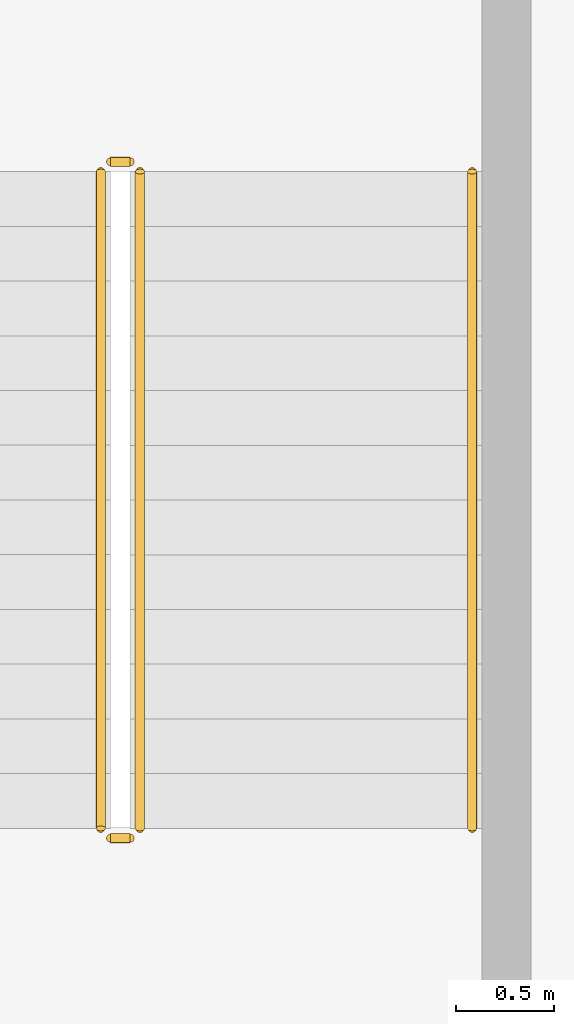
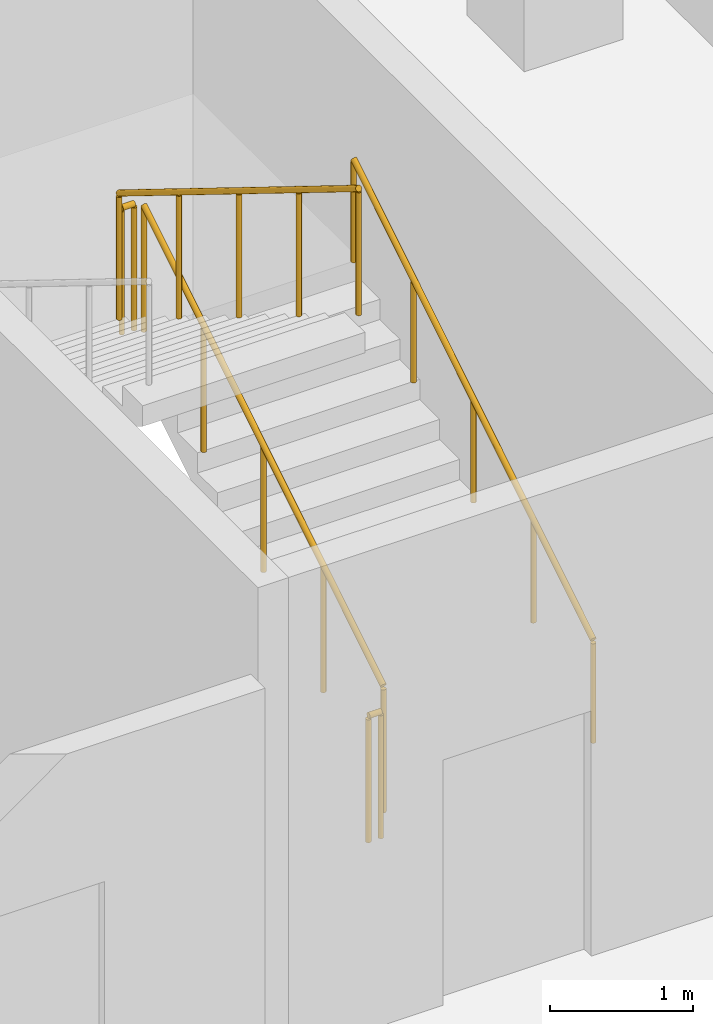
# One storey, part 35 of 35: 5 railings.
"""IFC4 building model written with IfcOpenShell, lengths in metres."""

import ifcopenshell
import ifcopenshell.guid

model = None  # the IFC model being written
_history = None  # IfcOwnerHistory: only IFC2X3 demands one
_inside = {}  # id of a spatial element -> (the spatial element, [elements in it])
_under = {}  # id of a project, library or spatial element -> (it, [spatial elements below it])
_declared = {}  # id of a project -> (the project, [libraries it declares])
_typed = {}  # id of a type object -> (the type object, [elements of that type])
_made_of = {}  # id of a material, layer set ... -> (it, [elements and type objects made of it])


def new_model(schema):
    """Start an empty IFC model of exactly this schema.

    Asked for "IFC4X3", IfcOpenShell would pick the latest addendum, in which some entities
    have other attributes; the version numbers below select the first issue.
    IFC2X3 requires an IfcOwnerHistory on every rooted entity: one is made here for all.
    """
    global model, _history
    if schema == "IFC4X3":
        model = ifcopenshell.file(schema_version=(4, 3, 0, 0))
    else:
        model = ifcopenshell.file(schema=schema)
    _inside.clear()
    _under.clear()
    _declared.clear()
    _typed.clear()
    _made_of.clear()
    _history = None
    if model.schema == "IFC2X3":
        org = make("IfcOrganization", Name="unknown")
        user = make(
            "IfcPersonAndOrganization",
            ThePerson=make("IfcPerson", FamilyName="unknown"),
            TheOrganization=org,
        )
        app = make(
            "IfcApplication",
            ApplicationDeveloper=org,
            Version="unknown",
            ApplicationFullName="unknown",
            ApplicationIdentifier="unknown",
        )
        _history = make(
            "IfcOwnerHistory",
            OwningUser=user,
            OwningApplication=app,
            ChangeAction="ADDED",
            CreationDate=0,
        )
    return model


def make(cls, **values):
    """One entity of the class cls with the attributes given. An attribute that is None is left unset."""
    return model.create_entity(
        cls, **{name: value for name, value in values.items() if value is not None}
    )


def rooted(cls, **values):
    """An entity with a GlobalId (a new one), such as an element, a storey or a relation."""
    return make(cls, GlobalId=ifcopenshell.guid.new(), OwnerHistory=_history, **values)


def si_unit(unit_type, name, prefix=None):
    """IfcSIUnit, for example si_unit("LENGTHUNIT", "METRE", prefix="MILLI")."""
    return make("IfcSIUnit", UnitType=unit_type, Prefix=prefix, Name=name)


def assignment(units):
    """IfcUnitAssignment: the units of a project."""
    return None if units is None else make("IfcUnitAssignment", Units=units)


def point(xyz):
    """IfcCartesianPoint."""
    return None if xyz is None else make("IfcCartesianPoint", Coordinates=xyz)


def direction(xyz):
    """IfcDirection."""
    return None if xyz is None else make("IfcDirection", DirectionRatios=xyz)


def frame(location, z_axis=None, x_axis=None):
    """IfcAxis2Placement3D, a coordinate frame: its origin and axes. An axis left out is left unset."""
    return make(
        "IfcAxis2Placement3D",
        Location=point(location),
        Axis=direction(z_axis),
        RefDirection=direction(x_axis),
    )


def frame_2d(location, x_axis=None):
    """IfcAxis2Placement2D, a coordinate frame in the plane: its origin and x axis."""
    return make(
        "IfcAxis2Placement2D", Location=point(location), RefDirection=direction(x_axis)
    )


def origin():
    """The frame at (0, 0, 0) with its axes left unset."""
    return frame((0.0, 0.0, 0.0))


def origin_2d():
    """The frame at (0, 0) in the plane with its x axis left unset."""
    return frame_2d((0.0, 0.0))


def place(relative_to, where):
    """IfcLocalPlacement: puts the frame where relative to a parent placement (None: the world)."""
    return make(
        "IfcLocalPlacement", PlacementRelTo=relative_to, RelativePlacement=where
    )


def context(
    kind, dimensions, precision=None, world=None, true_north=None, identifier=None
):
    """IfcGeometricRepresentationContext, for example the 3D "Model" context."""
    return make(
        "IfcGeometricRepresentationContext",
        ContextIdentifier=identifier,
        ContextType=kind,
        CoordinateSpaceDimension=dimensions,
        Precision=precision,
        WorldCoordinateSystem=world,
        TrueNorth=true_north,
    )


def subcontext(parent, identifier, kind, view, scale=None):
    """IfcGeometricRepresentationSubContext, for example "Body" below "Model"."""
    return make(
        "IfcGeometricRepresentationSubContext",
        ContextIdentifier=identifier,
        ContextType=kind,
        ParentContext=parent,
        TargetScale=scale,
        TargetView=view,
    )


def project(units=None, contexts=None):
    """IfcProject with its units and contexts."""
    return rooted(
        "IfcProject",
        Name="project",
        RepresentationContexts=contexts,
        UnitsInContext=assignment(units),
    )


def spatial(cls, under=None, at=None, **own):
    """A site, building, storey or space (cls), placed at a placement, below another one or the project."""
    s = rooted(cls, ObjectPlacement=at, **own)
    if under is not None:
        _under.setdefault(under.id(), (under, []))[1].append(s)
    return s


def profile(cls, at=None, kind="AREA", **sizes):
    """A parametric profile (cls). Its sizes go by their IFC names, for example OverallWidth=200.0."""
    return make(cls, ProfileType=kind, Position=at, **sizes)


def circle(**sizes):
    """IfcCircleProfileDef."""
    return profile("IfcCircleProfileDef", **sizes)


def extrude(swept, where, along, depth):
    """IfcExtrudedAreaSolid: the profile swept, set in the frame where, extruded along a direction by depth."""
    return make(
        "IfcExtrudedAreaSolid",
        SweptArea=swept,
        Position=where,
        ExtrudedDirection=direction(along),
        Depth=depth,
    )


def shape(context_of_items, identifier, shape_type, items):
    """IfcShapeRepresentation: the items that make up one representation, for example the "Body"."""
    return make(
        "IfcShapeRepresentation",
        ContextOfItems=context_of_items,
        RepresentationIdentifier=identifier,
        RepresentationType=shape_type,
        Items=items,
    )


def material(Name=None, Category=None):
    """IfcMaterial."""
    return make("IfcMaterial", Name=Name, Category=Category)


def made_of(thing, what):
    """Note that an element or type object is made of a material, layer set ...; save() writes the relation."""
    if what is not None:
        _made_of.setdefault(what.id(), (what, []))[1].append(thing)
    return thing


def type_object(cls, material=None, **own):
    """A type object (cls), such as IfcWallType, which elements share."""
    return made_of(rooted(cls, **own), material)


def element(
    cls,
    number,
    at=None,
    inside=None,
    cuts=None,
    type_object=None,
    material=None,
    context=None,
    identifier="Body",
    shape_type=None,
    held_by="IfcProductDefinitionShape",
    body=None,
    shapes=None,
    **own,
):
    """One element of the class cls, such as IfcWall. Its Tag is "e" and its number.

    at: its placement. inside: the storey or other place that contains it. cuts: it is an
    opening in that element (IfcRelVoidsElement). A single representation is given by context,
    identifier, shape_type and body (its items); several are given by shapes. held_by: the class
    of the entity that holds the representations. save() writes the other relations.
    """
    e = rooted(cls, Tag="e%d" % number, ObjectPlacement=at, **own)
    if body is not None:
        shapes = [shape(context, identifier, shape_type, body)]
    if shapes is not None:
        e.Representation = make(held_by, Representations=shapes)
    if inside is not None:
        _inside.setdefault(inside.id(), (inside, []))[1].append(e)
    if cuts is not None:
        rooted(
            "IfcRelVoidsElement", RelatingBuildingElement=cuts, RelatedOpeningElement=e
        )
    if type_object is not None:
        _typed.setdefault(type_object.id(), (type_object, []))[1].append(e)
    return made_of(e, material)


def aggregate(whole, parts):
    """IfcRelAggregates: a whole, such as a stair, and the parts it consists of."""
    return rooted("IfcRelAggregates", RelatingObject=whole, RelatedObjects=parts)


def save(model, path):
    """Write the relations noted so far, then the file.

    IfcRelAggregates (storeys below a building ...), IfcRelContainedInSpatialStructure (elements
    in a storey), IfcRelDefinesByType, IfcRelAssociatesMaterial and IfcRelDeclares: one each for
    every whole, place, type object, material and project.
    """
    for whole, parts in _under.values():
        aggregate(whole, parts)
    for where, things in _inside.values():
        rooted(
            "IfcRelContainedInSpatialStructure",
            RelatedElements=things,
            RelatingStructure=where,
        )
    for kind, things in _typed.values():
        rooted("IfcRelDefinesByType", RelatedObjects=things, RelatingType=kind)
    for what, things in _made_of.values():
        rooted("IfcRelAssociatesMaterial", RelatedObjects=things, RelatingMaterial=what)
    for by, libraries in _declared.values():
        rooted("IfcRelDeclares", RelatingContext=by, RelatedDefinitions=libraries)
    model.write(path)


model = new_model("IFC4")

# Units and contexts
model_context = context("Model", 3, precision=1e-05, world=origin(), true_north=direction((0.0, 1.0)))
body_context = subcontext(model_context, "Body", "Model", "MODEL_VIEW")
ifc_project = project(units=[si_unit("LENGTHUNIT", "METRE"), si_unit("AREAUNIT", "SQUARE_METRE"), si_unit("VOLUMEUNIT", "CUBIC_METRE"), si_unit("PLANEANGLEUNIT", "RADIAN"), si_unit("MASSUNIT", "GRAM", prefix="KILO")], contexts=[model_context])

# Site, building, storey
site_placement = place(None, origin())
site = spatial("IfcSite", under=ifc_project, at=site_placement, CompositionType="ELEMENT")
building_placement = place(site_placement, origin())
building = spatial("IfcBuilding", under=site, at=building_placement, Name="Kilnfold Tower and Market Hall", CompositionType="ELEMENT")
storey_placement = place(building_placement, frame((0.0, 0.0, 13.5)))
storey = spatial("IfcBuildingStorey", under=building, at=storey_placement, Name="L02", CompositionType="ELEMENT", Elevation=13.5)

# Railings
ifc_material_1 = material(Name="Steel S355", Category="steel")
railing_type_1 = type_object("IfcRailingType", Name="HALL STAIR GUARD 1100", PredefinedType="GUARDRAIL", material=ifc_material_1)
railing_1_placement = place(storey_placement, frame((48.75, 46.699951171875, 0.173095703125)))
element("IfcRailing", 1, at=railing_1_placement, inside=storey, type_object=railing_type_1, Name="L02 MS6 stair guard 1", PredefinedType="GUARDRAIL", context=body_context, shape_type="SweptSolid", body=[
    extrude(circle(Radius=0.02392578125, at=origin_2d()), frame((0.0, 0.0, 1.076171875), z_axis=(0.0, 0.850623216509, 0.525775754039), x_axis=(-1.0, 0.0, 0.0)), (0.0, 0.0, 1.0), 3.9501953125),
    extrude(circle(Radius=0.02099609375, at=origin_2d()), origin(), (0.0, 0.0, 1.0), 1.052001953125),
    extrude(circle(Radius=0.02099609375, at=origin_2d()), frame((0.0, 0.840087890625, 0.519287109375)), (0.0, 0.0, 1.0), 1.052001953125),
    extrude(circle(Radius=0.02099609375, at=origin_2d()), frame((0.0, 1.68017578125, 1.03857421875)), (0.0, 0.0, 1.0), 1.052001953125),
    extrude(circle(Radius=0.02099609375, at=origin_2d()), frame((0.0, 2.52001953125, 1.5576171875)), (0.0, 0.0, 1.0), 1.052001953125),
    extrude(circle(Radius=0.02099609375, at=origin_2d()), frame((0.0, 3.360107421875, 2.076904296875)), (0.0, 0.0, 1.0), 1.052001953125),
])
railing_2_placement = place(storey_placement, frame((48.699951171875, 50.110107421875, 2.25)))
element("IfcRailing", 2, at=railing_2_placement, inside=storey, type_object=railing_type_1, Name="L02 MS6 stair guard 2", PredefinedType="GUARDRAIL", context=body_context, shape_type="SweptSolid", body=[
    extrude(circle(Radius=0.02392578125, at=origin_2d()), frame((0.0, 0.0, 1.076171875), z_axis=(-1.0, 0.0, 0.0), x_axis=(0.0, -1.0, 0.0)), (0.0, 0.0, 1.0), 0.099853515625),
    extrude(circle(Radius=0.02099609375, at=origin_2d()), origin(), (0.0, 0.0, 1.0), 1.052001953125),
    extrude(circle(Radius=0.02099609375, at=origin_2d()), frame((-0.099853515625, 0.0, 0.0)), (0.0, 0.0, 1.0), 1.052001953125),
])
railing_3_placement = place(storey_placement, frame((48.550048828125, 50.06005859375, 2.423095703125)))
element("IfcRailing", 3, at=railing_3_placement, inside=storey, type_object=railing_type_1, Name="L02 MS6 stair guard 3", PredefinedType="GUARDRAIL", context=body_context, shape_type="SweptSolid", body=[
    extrude(circle(Radius=0.02392578125, at=origin_2d()), frame((0.0, 0.0, 1.076171875), z_axis=(0.0, -0.850623216509, 0.525775754039), x_axis=(1.0, 0.0, 0.0)), (0.0, 0.0, 1.0), 3.9501953125),
    extrude(circle(Radius=0.02099609375, at=origin_2d()), origin(), (0.0, 0.0, 1.0), 1.052001953125),
    extrude(circle(Radius=0.02099609375, at=origin_2d()), frame((0.0, -0.840087890625, 0.519287109375)), (0.0, 0.0, 1.0), 1.052001953125),
    extrude(circle(Radius=0.02099609375, at=origin_2d()), frame((0.0, -1.68017578125, 1.03857421875)), (0.0, 0.0, 1.0), 1.052001953125),
    extrude(circle(Radius=0.02099609375, at=origin_2d()), frame((0.0, -2.52001953125, 1.5576171875)), (0.0, 0.0, 1.0), 1.052001953125),
    extrude(circle(Radius=0.02099609375, at=origin_2d()), frame((0.0, -3.360107421875, 2.076904296875)), (0.0, 0.0, 1.0), 1.052001953125),
])
railing_4_placement = place(storey_placement, frame((48.699951171875, 46.64990234375, 0.0)))
element("IfcRailing", 4, at=railing_4_placement, inside=storey, type_object=railing_type_1, Name="L02 MS6 stair guard 4", PredefinedType="GUARDRAIL", context=body_context, shape_type="SweptSolid", body=[
    extrude(circle(Radius=0.02392578125, at=origin_2d()), frame((0.0, 0.0, 1.076171875), z_axis=(-1.0, 0.0, 0.0), x_axis=(0.0, -1.0, 0.0)), (0.0, 0.0, 1.0), 0.099853515625),
    extrude(circle(Radius=0.02099609375, at=origin_2d()), origin(), (0.0, 0.0, 1.0), 1.052001953125),
    extrude(circle(Radius=0.02099609375, at=origin_2d()), frame((-0.099853515625, 0.0, 0.0)), (0.0, 0.0, 1.0), 1.052001953125),
])
ifc_material_2 = material(Name="Steel S355", Category="steel")
railing_type_2 = type_object("IfcRailingType", Name="HALL STAIR HANDRAIL", PredefinedType="HANDRAIL", material=ifc_material_2)
railing_5_placement = place(storey_placement, frame((50.449951171875, 46.699951171875, 0.173095703125)))
element("IfcRailing", 5, at=railing_5_placement, inside=storey, type_object=railing_type_2, Name="L02 MS6 stair handrail 1", PredefinedType="HANDRAIL", context=body_context, shape_type="SweptSolid", body=[
    extrude(circle(Radius=0.02392578125, at=origin_2d()), frame((0.0, 0.0, 0.8759765625), z_axis=(0.0, 0.850623216509, 0.525775754039), x_axis=(-1.0, 0.0, 0.0)), (0.0, 0.0, 1.0), 3.9501953125),
    extrude(circle(Radius=0.02099609375, at=origin_2d()), origin(), (0.0, 0.0, 1.0), 0.851806640625),
    extrude(circle(Radius=0.02099609375, at=origin_2d()), frame((0.0, 0.840087890625, 0.519287109375)), (0.0, 0.0, 1.0), 0.851806640625),
    extrude(circle(Radius=0.02099609375, at=origin_2d()), frame((0.0, 1.68017578125, 1.03857421875)), (0.0, 0.0, 1.0), 0.851806640625),
    extrude(circle(Radius=0.02099609375, at=origin_2d()), frame((0.0, 2.52001953125, 1.5576171875)), (0.0, 0.0, 1.0), 0.851806640625),
    extrude(circle(Radius=0.02099609375, at=origin_2d()), frame((0.0, 3.360107421875, 2.076904296875)), (0.0, 0.0, 1.0), 0.851806640625),
])

save(model, "model.ifc")
